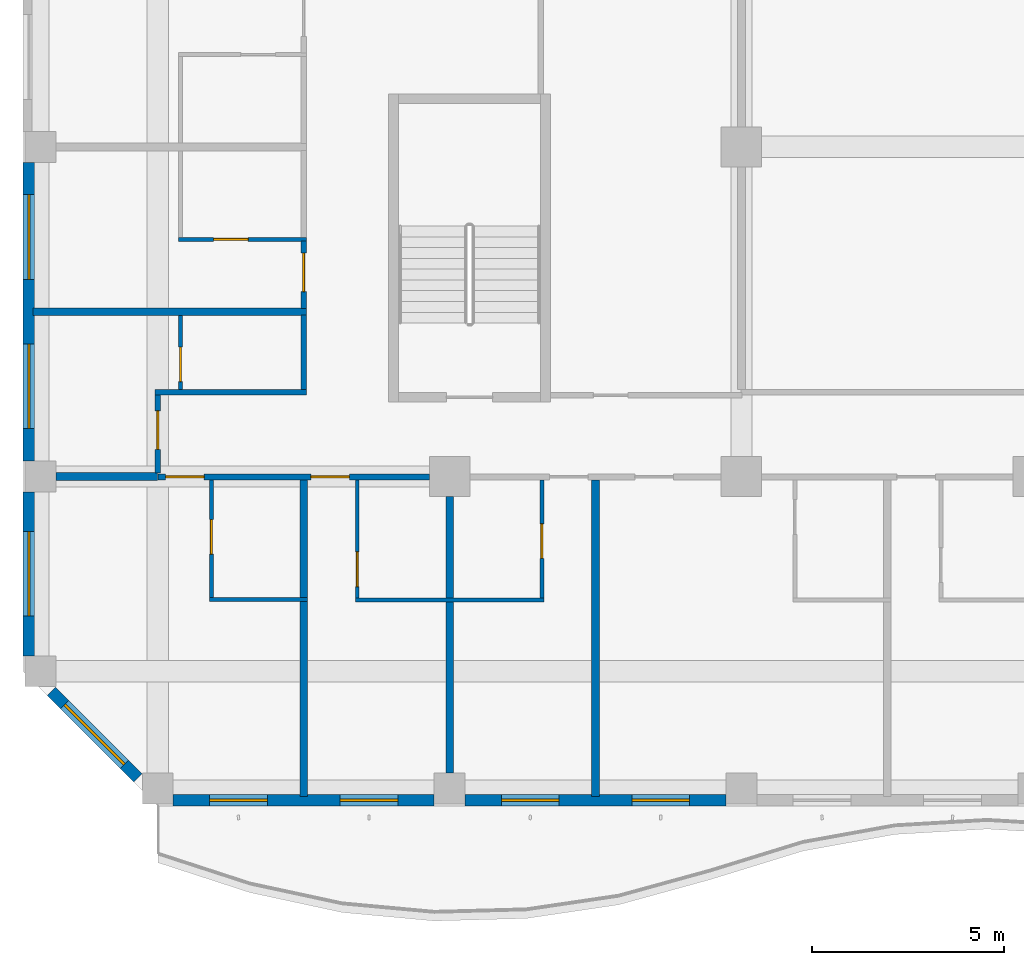
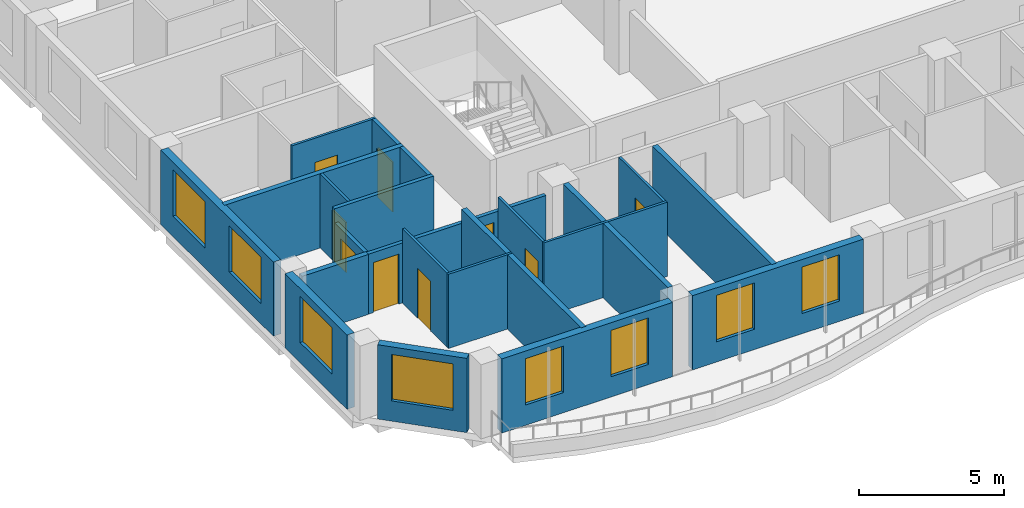
# One storey, part 2 of 22: 24 walls, 9 doors, 8 windows, 17 openings.
"""IFC4 building model written with IfcOpenShell, lengths in metres."""

import ifcopenshell
import ifcopenshell.guid

model = None  # the IFC model being written
_history = None  # IfcOwnerHistory: only IFC2X3 demands one
_inside = {}  # id of a spatial element -> (the spatial element, [elements in it])
_under = {}  # id of a project, library or spatial element -> (it, [spatial elements below it])
_declared = {}  # id of a project -> (the project, [libraries it declares])
_typed = {}  # id of a type object -> (the type object, [elements of that type])
_made_of = {}  # id of a material, layer set ... -> (it, [elements and type objects made of it])


def new_model(schema):
    """Start an empty IFC model of exactly this schema.

    Asked for "IFC4X3", IfcOpenShell would pick the latest addendum, in which some entities
    have other attributes; the version numbers below select the first issue.
    IFC2X3 requires an IfcOwnerHistory on every rooted entity: one is made here for all.
    """
    global model, _history
    if schema == "IFC4X3":
        model = ifcopenshell.file(schema_version=(4, 3, 0, 0))
    else:
        model = ifcopenshell.file(schema=schema)
    _inside.clear()
    _under.clear()
    _declared.clear()
    _typed.clear()
    _made_of.clear()
    _history = None
    if model.schema == "IFC2X3":
        org = make("IfcOrganization", Name="unknown")
        user = make(
            "IfcPersonAndOrganization",
            ThePerson=make("IfcPerson", FamilyName="unknown"),
            TheOrganization=org,
        )
        app = make(
            "IfcApplication",
            ApplicationDeveloper=org,
            Version="unknown",
            ApplicationFullName="unknown",
            ApplicationIdentifier="unknown",
        )
        _history = make(
            "IfcOwnerHistory",
            OwningUser=user,
            OwningApplication=app,
            ChangeAction="ADDED",
            CreationDate=0,
        )
    return model


def make(cls, **values):
    """One entity of the class cls with the attributes given. An attribute that is None is left unset."""
    return model.create_entity(
        cls, **{name: value for name, value in values.items() if value is not None}
    )


def rooted(cls, **values):
    """An entity with a GlobalId (a new one), such as an element, a storey or a relation."""
    return make(cls, GlobalId=ifcopenshell.guid.new(), OwnerHistory=_history, **values)


def si_unit(unit_type, name, prefix=None):
    """IfcSIUnit, for example si_unit("LENGTHUNIT", "METRE", prefix="MILLI")."""
    return make("IfcSIUnit", UnitType=unit_type, Prefix=prefix, Name=name)


def assignment(units):
    """IfcUnitAssignment: the units of a project."""
    return None if units is None else make("IfcUnitAssignment", Units=units)


def point(xyz):
    """IfcCartesianPoint."""
    return None if xyz is None else make("IfcCartesianPoint", Coordinates=xyz)


def direction(xyz):
    """IfcDirection."""
    return None if xyz is None else make("IfcDirection", DirectionRatios=xyz)


def frame(location, z_axis=None, x_axis=None):
    """IfcAxis2Placement3D, a coordinate frame: its origin and axes. An axis left out is left unset."""
    return make(
        "IfcAxis2Placement3D",
        Location=point(location),
        Axis=direction(z_axis),
        RefDirection=direction(x_axis),
    )


def frame_2d(location, x_axis=None):
    """IfcAxis2Placement2D, a coordinate frame in the plane: its origin and x axis."""
    return make(
        "IfcAxis2Placement2D", Location=point(location), RefDirection=direction(x_axis)
    )


def origin():
    """The frame at (0, 0, 0) with its axes left unset."""
    return frame((0.0, 0.0, 0.0))


def place(relative_to, where):
    """IfcLocalPlacement: puts the frame where relative to a parent placement (None: the world)."""
    return make(
        "IfcLocalPlacement", PlacementRelTo=relative_to, RelativePlacement=where
    )


def context(
    kind, dimensions, precision=None, world=None, true_north=None, identifier=None
):
    """IfcGeometricRepresentationContext, for example the 3D "Model" context."""
    return make(
        "IfcGeometricRepresentationContext",
        ContextIdentifier=identifier,
        ContextType=kind,
        CoordinateSpaceDimension=dimensions,
        Precision=precision,
        WorldCoordinateSystem=world,
        TrueNorth=true_north,
    )


def subcontext(parent, identifier, kind, view, scale=None):
    """IfcGeometricRepresentationSubContext, for example "Body" below "Model"."""
    return make(
        "IfcGeometricRepresentationSubContext",
        ContextIdentifier=identifier,
        ContextType=kind,
        ParentContext=parent,
        TargetScale=scale,
        TargetView=view,
    )


def project(units=None, contexts=None):
    """IfcProject with its units and contexts."""
    return rooted(
        "IfcProject",
        Name="project",
        RepresentationContexts=contexts,
        UnitsInContext=assignment(units),
    )


def spatial(cls, under=None, at=None, **own):
    """A site, building, storey or space (cls), placed at a placement, below another one or the project."""
    s = rooted(cls, ObjectPlacement=at, **own)
    if under is not None:
        _under.setdefault(under.id(), (under, []))[1].append(s)
    return s


def profile(cls, at=None, kind="AREA", **sizes):
    """A parametric profile (cls). Its sizes go by their IFC names, for example OverallWidth=200.0."""
    return make(cls, ProfileType=kind, Position=at, **sizes)


def rectangle(**sizes):
    """IfcRectangleProfileDef."""
    return profile("IfcRectangleProfileDef", **sizes)


def extrude(swept, where, along, depth):
    """IfcExtrudedAreaSolid: the profile swept, set in the frame where, extruded along a direction by depth."""
    return make(
        "IfcExtrudedAreaSolid",
        SweptArea=swept,
        Position=where,
        ExtrudedDirection=direction(along),
        Depth=depth,
    )


def shape(context_of_items, identifier, shape_type, items):
    """IfcShapeRepresentation: the items that make up one representation, for example the "Body"."""
    return make(
        "IfcShapeRepresentation",
        ContextOfItems=context_of_items,
        RepresentationIdentifier=identifier,
        RepresentationType=shape_type,
        Items=items,
    )


def source(mapping_origin, context_of_items, identifier, shape_type, items):
    """IfcRepresentationMap: a shape defined once, which mapped items show again and again."""
    return make(
        "IfcRepresentationMap",
        MappingOrigin=mapping_origin,
        MappedRepresentation=shape(context_of_items, identifier, shape_type, items),
    )


def transform(
    local_origin,
    x_axis=None,
    y_axis=None,
    z_axis=None,
    scale=None,
    scale2=None,
    scale3=None,
    uniform=True,
):
    """IfcCartesianTransformationOperator3D, or its non-uniform kind. x_axis, y_axis, z_axis: its Axis1, 2, 3."""
    if uniform:
        return make(
            "IfcCartesianTransformationOperator3D",
            Axis1=direction(x_axis),
            Axis2=direction(y_axis),
            LocalOrigin=point(local_origin),
            Scale=scale,
            Axis3=direction(z_axis),
        )
    return make(
        "IfcCartesianTransformationOperator3DnonUniform",
        Axis1=direction(x_axis),
        Axis2=direction(y_axis),
        LocalOrigin=point(local_origin),
        Scale=scale,
        Axis3=direction(z_axis),
        Scale2=scale2,
        Scale3=scale3,
    )


def mapped(mapping_source, mapping_target):
    """IfcMappedItem: shows the shape of a source again, moved by a transform."""
    return make(
        "IfcMappedItem", MappingSource=mapping_source, MappingTarget=mapping_target
    )


def material(Name=None, Category=None):
    """IfcMaterial."""
    return make("IfcMaterial", Name=Name, Category=Category)


def layer(
    of_material, thickness, ventilated=None, Name=None, Category=None, Priority=None
):
    """IfcMaterialLayer: one layer of a wall or slab, of a material (None: an air gap)."""
    return make(
        "IfcMaterialLayer",
        Material=of_material,
        LayerThickness=thickness,
        IsVentilated=ventilated,
        Name=Name,
        Category=Category,
        Priority=Priority,
    )


def layer_set(layers, Name=None):
    """IfcMaterialLayerSet."""
    return make("IfcMaterialLayerSet", MaterialLayers=layers, LayerSetName=Name)


def made_of(thing, what):
    """Note that an element or type object is made of a material, layer set ...; save() writes the relation."""
    if what is not None:
        _made_of.setdefault(what.id(), (what, []))[1].append(thing)
    return thing


def type_object(cls, material=None, **own):
    """A type object (cls), such as IfcWallType, which elements share."""
    return made_of(rooted(cls, **own), material)


def element(
    cls,
    number,
    at=None,
    inside=None,
    cuts=None,
    type_object=None,
    material=None,
    context=None,
    identifier="Body",
    shape_type=None,
    held_by="IfcProductDefinitionShape",
    body=None,
    shapes=None,
    **own,
):
    """One element of the class cls, such as IfcWall. Its Tag is "e" and its number.

    at: its placement. inside: the storey or other place that contains it. cuts: it is an
    opening in that element (IfcRelVoidsElement). A single representation is given by context,
    identifier, shape_type and body (its items); several are given by shapes. held_by: the class
    of the entity that holds the representations. save() writes the other relations.
    """
    e = rooted(cls, Tag="e%d" % number, ObjectPlacement=at, **own)
    if body is not None:
        shapes = [shape(context, identifier, shape_type, body)]
    if shapes is not None:
        e.Representation = make(held_by, Representations=shapes)
    if inside is not None:
        _inside.setdefault(inside.id(), (inside, []))[1].append(e)
    if cuts is not None:
        rooted(
            "IfcRelVoidsElement", RelatingBuildingElement=cuts, RelatedOpeningElement=e
        )
    if type_object is not None:
        _typed.setdefault(type_object.id(), (type_object, []))[1].append(e)
    return made_of(e, material)


def fill(opening, filler):
    """IfcRelFillsElement: the door or window that sits in an opening."""
    return rooted(
        "IfcRelFillsElement",
        RelatingOpeningElement=opening,
        RelatedBuildingElement=filler,
    )


def aggregate(whole, parts):
    """IfcRelAggregates: a whole, such as a stair, and the parts it consists of."""
    return rooted("IfcRelAggregates", RelatingObject=whole, RelatedObjects=parts)


def save(model, path):
    """Write the relations noted so far, then the file.

    IfcRelAggregates (storeys below a building ...), IfcRelContainedInSpatialStructure (elements
    in a storey), IfcRelDefinesByType, IfcRelAssociatesMaterial and IfcRelDeclares: one each for
    every whole, place, type object, material and project.
    """
    for whole, parts in _under.values():
        aggregate(whole, parts)
    for where, things in _inside.values():
        rooted(
            "IfcRelContainedInSpatialStructure",
            RelatedElements=things,
            RelatingStructure=where,
        )
    for kind, things in _typed.values():
        rooted("IfcRelDefinesByType", RelatedObjects=things, RelatingType=kind)
    for what, things in _made_of.values():
        rooted("IfcRelAssociatesMaterial", RelatedObjects=things, RelatingMaterial=what)
    for by, libraries in _declared.values():
        rooted("IfcRelDeclares", RelatingContext=by, RelatedDefinitions=libraries)
    model.write(path)


model = new_model("IFC4")

# Units and contexts
model_context = context("Model", 3, precision=1e-05, world=origin(), true_north=direction((0.0, 1.0)))
body_context = subcontext(model_context, "Body", "Model", "MODEL_VIEW")
ifc_project = project(units=[si_unit("LENGTHUNIT", "METRE"), si_unit("AREAUNIT", "SQUARE_METRE"), si_unit("VOLUMEUNIT", "CUBIC_METRE"), si_unit("PLANEANGLEUNIT", "RADIAN"), si_unit("MASSUNIT", "GRAM", prefix="KILO")], contexts=[model_context])

# Site, building, storey
site_placement = place(None, origin())
site = spatial("IfcSite", under=ifc_project, at=site_placement, CompositionType="ELEMENT")
building_placement = place(site_placement, origin())
building = spatial("IfcBuilding", under=site, at=building_placement, Name="Kilnfold Tower and Market Hall", CompositionType="ELEMENT")
storey_placement = place(building_placement, frame((0.0, 0.0, 188.89990234375)))
storey = spatial("IfcBuildingStorey", under=building, at=storey_placement, Name="L45", CompositionType="ELEMENT", Elevation=188.89990234375)

# Wall, openings, doors
ifc_material_1 = material(Name="Gypsum board on steel studs", Category="steel")
ifc_layer_1 = layer(ifc_material_1, 0.14990234375)
ifc_layer_set_1 = layer_set([ifc_layer_1], Name="Gypsum board on steel studs")
wall_type_1 = type_object("IfcWallType", Name="WALL CORRIDOR 150", PredefinedType="PARTITIONING", material=ifc_layer_set_1)
wall_1_placement = place(storey_placement, frame((-23.75, -17.699951171875, 0.0), z_axis=(0.0, 0.0, 1.0), x_axis=(1.0, 0.0, 0.0)))
wall_1 = element("IfcWall", 1, at=wall_1_placement, inside=storey, type_object=wall_type_1, Name="Partition LY28.1", PredefinedType="PARTITIONING", context=body_context, shape_type="SweptSolid", body=[
    extrude(rectangle(XDim=7.05810546875, YDim=0.14990234375, at=frame_2d((3.529052734375, 0.0))), origin(), (0.0, 0.0, 1.0), 2.52001953125),
])
opening_1_placement = place(wall_1_placement, frame((0.200927734375, 0.0, 0.0)))
opening_1 = element("IfcOpeningElement", 2, at=opening_1_placement, cuts=wall_1, Name="Opening D1", PredefinedType="OPENING", context=body_context, shape_type="SweptSolid", body=[
    extrude(rectangle(XDim=1.0, YDim=2.10009765625, at=frame_2d((0.5, 1.050048828125))), frame((0.0, 0.0849609375, 0.0), z_axis=(0.0, -1.0, 0.0), x_axis=(1.0, 0.0, 0.0)), (0.0, 0.0, 1.0), 0.169921875),
])
opening_2_placement = place(wall_1_placement, frame((3.98095703125, 0.0, 0.0)))
opening_2 = element("IfcOpeningElement", 3, at=opening_2_placement, cuts=wall_1, Name="Opening D1", PredefinedType="OPENING", context=body_context, shape_type="SweptSolid", body=[
    extrude(rectangle(XDim=1.0, YDim=2.10009765625, at=frame_2d((0.5, 1.050048828125))), frame((0.0, 0.0849609375, 0.0), z_axis=(0.0, -1.0, 0.0), x_axis=(1.0, 0.0, 0.0)), (0.0, 0.0, 1.0), 0.169921875),
])
ifc_material_2 = material(Name="Timber veneer door leaf in steel frame", Category="steel")
door_type_1 = type_object("IfcDoorType", Name="DOOR ENTRY 1000 X2100", OperationType="NOTDEFINED", PredefinedType="DOOR", material=ifc_material_2)
door_1_placement = place(opening_1_placement, origin())
door_1 = element("IfcDoor", 4, at=door_1_placement, inside=storey, type_object=door_type_1, Name="Door D1", OperationType="SINGLE_SWING_RIGHT", OverallHeight=2.10009765625, OverallWidth=1.0, PredefinedType="DOOR", context=body_context, shape_type="SweptSolid", body=[
    extrude(rectangle(XDim=1.0, YDim=2.10009765625, at=frame_2d((0.5, 1.050048828125))), frame((0.0, 0.02490234375, 0.0), z_axis=(0.0, -1.0, 0.0), x_axis=(1.0, 0.0, 0.0)), (0.0, 0.0, 1.0), 0.050048828125),
])
fill(opening_1, door_1)
door_2_placement = place(opening_2_placement, origin())
door_2 = element("IfcDoor", 5, at=door_2_placement, inside=storey, type_object=door_type_1, Name="Door D1", OperationType="SINGLE_SWING_LEFT", OverallHeight=2.10009765625, OverallWidth=1.0, PredefinedType="DOOR", context=body_context, shape_type="SweptSolid", body=[
    extrude(rectangle(XDim=1.0, YDim=2.10009765625, at=frame_2d((0.5, 1.050048828125))), frame((0.0, 0.02490234375, 0.0), z_axis=(0.0, -1.0, 0.0), x_axis=(1.0, 0.0, 0.0)), (0.0, 0.0, 1.0), 0.050048828125),
])
fill(opening_2, door_2)

# Wall, opening, door
wall_2_placement = place(storey_placement, frame((-23.75, -15.574951171875, 0.0), z_axis=(0.0, 0.0, 1.0), x_axis=(0.0, -1.0, 0.0)))
wall_2 = element("IfcWall", 6, at=wall_2_placement, inside=storey, type_object=wall_type_1, Name="Partition LY28.7", PredefinedType="PARTITIONING", context=body_context, shape_type="SweptSolid", body=[
    extrude(rectangle(XDim=2.02294921875, YDim=0.14990234375, at=frame_2d((1.011474609375, 0.0))), origin(), (0.0, 0.0, 1.0), 2.52001953125),
])
opening_3_placement = place(wall_2_placement, frame((0.407958984375, 0.0, 0.0)))
opening_3 = element("IfcOpeningElement", 7, at=opening_3_placement, cuts=wall_2, Name="Opening D1", PredefinedType="OPENING", context=body_context, shape_type="SweptSolid", body=[
    extrude(rectangle(XDim=1.0, YDim=2.10009765625, at=frame_2d((0.5, 1.050048828125))), frame((0.0, 0.0849609375, 0.0), z_axis=(0.0, -1.0, 0.0), x_axis=(1.0, 0.0, 0.0)), (0.0, 0.0, 1.0), 0.169921875),
])
door_3_placement = place(opening_3_placement, origin())
door_3 = element("IfcDoor", 8, at=door_3_placement, inside=storey, type_object=door_type_1, Name="Door D1", OperationType="SINGLE_SWING_LEFT", OverallHeight=2.10009765625, OverallWidth=1.0, PredefinedType="DOOR", context=body_context, shape_type="SweptSolid", body=[
    extrude(rectangle(XDim=1.0, YDim=2.10009765625, at=frame_2d((0.5, 1.050048828125))), frame((0.0, 0.02490234375, 0.0), z_axis=(0.0, -1.0, 0.0), x_axis=(1.0, 0.0, 0.0)), (0.0, 0.0, 1.0), 0.050048828125),
])
fill(opening_3, door_3)

# Walls
wall_3_placement = place(storey_placement, frame((-23.824951171875, -15.5, 0.0), z_axis=(0.0, 0.0, 1.0), x_axis=(1.0, 0.0, 0.0)))
element("IfcWall", 9, at=wall_3_placement, inside=storey, type_object=wall_type_1, Name="Partition LY28.8", PredefinedType="PARTITIONING", context=body_context, shape_type="SweptSolid", body=[
    extrude(rectangle(XDim=3.94091796875, YDim=0.14990234375, at=frame_2d((1.970458984375, 0.0))), origin(), (0.0, 0.0, 1.0), 3.1201171875),
])
wall_4_placement = place(storey_placement, frame((-19.958984375, -15.425048828125, 0.0), z_axis=(0.0, 0.0, 1.0), x_axis=(0.0, 1.0, 0.0)))
element("IfcWall", 10, at=wall_4_placement, inside=storey, type_object=wall_type_1, Name="Partition LY28.9", PredefinedType="PARTITIONING", context=body_context, shape_type="SweptSolid", body=[
    extrude(rectangle(XDim=1.928955078125, YDim=0.14990234375, at=frame_2d((0.96435546875, 0.0))), origin(), (0.0, 0.0, 1.0), 3.1201171875),
])

# Wall, opening, door
wall_5_placement = place(storey_placement, frame((-19.958984375, -13.31591796875, 0.0), z_axis=(0.0, 0.0, 1.0), x_axis=(0.0, 1.0, 0.0)))
wall_5 = element("IfcWall", 11, at=wall_5_placement, inside=storey, type_object=wall_type_1, Name="Partition LY28.10", PredefinedType="PARTITIONING", context=body_context, shape_type="SweptSolid", body=[
    extrude(rectangle(XDim=1.7509765625, YDim=0.14990234375, at=frame_2d((0.87548828125, 0.0))), origin(), (0.0, 0.0, 1.0), 3.1201171875),
])
opening_4_placement = place(wall_5_placement, frame((0.43408203125, 0.0, 0.0)))
opening_4 = element("IfcOpeningElement", 12, at=opening_4_placement, cuts=wall_5, Name="Opening D1", PredefinedType="OPENING", context=body_context, shape_type="SweptSolid", body=[
    extrude(rectangle(XDim=1.0, YDim=2.10009765625, at=frame_2d((0.5, 1.050048828125))), frame((0.0, 0.0849609375, 0.0), z_axis=(0.0, -1.0, 0.0), x_axis=(1.0, 0.0, 0.0)), (0.0, 0.0, 1.0), 0.169921875),
])
door_4_placement = place(opening_4_placement, origin())
door_4 = element("IfcDoor", 13, at=door_4_placement, inside=storey, type_object=door_type_1, Name="Door D1", OperationType="SINGLE_SWING_RIGHT", OverallHeight=2.10009765625, OverallWidth=1.0, PredefinedType="DOOR", context=body_context, shape_type="SweptSolid", body=[
    extrude(rectangle(XDim=1.0, YDim=2.10009765625, at=frame_2d((0.5, 1.050048828125))), frame((0.0, 0.02490234375, 0.0), z_axis=(0.0, -1.0, 0.0), x_axis=(1.0, 0.0, 0.0)), (0.0, 0.0, 1.0), 0.050048828125),
])
fill(opening_4, door_4)

ifc_material_3 = material(Name="Gypsum board on steel studs", Category="steel")
ifc_layer_2 = layer(ifc_material_3, 0.10009765625)
ifc_layer_set_2 = layer_set([ifc_layer_2], Name="Gypsum board on steel studs")
wall_type_2 = type_object("IfcWallType", Name="WALL PARTITION 100", PredefinedType="PARTITIONING", material=ifc_layer_set_2)
wall_6_placement = place(storey_placement, frame((-22.35888671875, -20.837890625, 0.0), z_axis=(0.0, 0.0, 1.0), x_axis=(0.0, 1.0, 0.0)))
wall_6 = element("IfcWall", 14, at=wall_6_placement, inside=storey, type_object=wall_type_2, Name="Partition LY28.50", PredefinedType="PARTITIONING", context=body_context, shape_type="SweptSolid", body=[
    extrude(rectangle(XDim=3.060791015625, YDim=0.10009765625, at=frame_2d((1.5302734375, 0.0))), origin(), (0.0, 0.0, 1.0), 3.1201171875),
])
opening_5_placement = place(wall_6_placement, frame((1.132080078125, 0.0, 0.0)))
opening_5 = element("IfcOpeningElement", 15, at=opening_5_placement, cuts=wall_6, Name="Opening D3", PredefinedType="OPENING", context=body_context, shape_type="SweptSolid", body=[
    extrude(rectangle(XDim=0.89990234375, YDim=2.10009765625, at=frame_2d((0.449951171875, 1.050048828125))), frame((0.0, 0.06005859375, 0.0), z_axis=(0.0, -1.0, 0.0), x_axis=(1.0, 0.0, 0.0)), (0.0, 0.0, 1.0), 0.1201171875),
])
ifc_material_4 = material(Name="Timber veneer door leaf in steel frame", Category="steel")
door_type_2 = type_object("IfcDoorType", Name="DOOR WC 900 X2100", OperationType="NOTDEFINED", PredefinedType="DOOR", material=ifc_material_4)
door_5_placement = place(opening_5_placement, origin())
door_5 = element("IfcDoor", 16, at=door_5_placement, inside=storey, type_object=door_type_2, Name="Door D3", OperationType="SINGLE_SWING_RIGHT", OverallHeight=2.10009765625, OverallWidth=0.89990234375, PredefinedType="DOOR", context=body_context, shape_type="SweptSolid", body=[
    extrude(rectangle(XDim=0.89990234375, YDim=2.10009765625, at=frame_2d((0.449951171875, 1.050048828125))), frame((0.0, 0.02490234375, 0.0), z_axis=(0.0, -1.0, 0.0), x_axis=(1.0, 0.0, 0.0)), (0.0, 0.0, 1.0), 0.050048828125),
])
fill(opening_5, door_5)

# Wall
wall_7_placement = place(storey_placement, frame((-22.408935546875, -20.887939453125, 0.0), z_axis=(0.0, 0.0, 1.0), x_axis=(1.0, 0.0, 0.0)))
element("IfcWall", 17, at=wall_7_placement, inside=storey, type_object=wall_type_2, Name="Partition LY28.51", PredefinedType="PARTITIONING", context=body_context, shape_type="SweptSolid", body=[
    extrude(rectangle(XDim=2.550048828125, YDim=0.10009765625, at=frame_2d((1.27490234375, 0.0))), origin(), (0.0, 0.0, 1.0), 3.1201171875),
])

# Wall, opening, door
wall_8_placement = place(storey_placement, frame((-18.56689453125, -20.85205078125, 0.0), z_axis=(0.0, 0.0, 1.0), x_axis=(0.0, 1.0, 0.0)))
wall_8 = element("IfcWall", 18, at=wall_8_placement, inside=storey, type_object=wall_type_2, Name="Partition LY28.55", PredefinedType="PARTITIONING", context=body_context, shape_type="SweptSolid", body=[
    extrude(rectangle(XDim=3.074951171875, YDim=0.10009765625, at=frame_2d((1.53759765625, 0.0))), origin(), (0.0, 0.0, 1.0), 3.1201171875),
])
opening_6_placement = place(wall_8_placement, frame((0.303955078125, 0.0, 0.0)))
opening_6 = element("IfcOpeningElement", 19, at=opening_6_placement, cuts=wall_8, Name="Opening D3", PredefinedType="OPENING", context=body_context, shape_type="SweptSolid", body=[
    extrude(rectangle(XDim=0.89990234375, YDim=2.10009765625, at=frame_2d((0.449951171875, 1.050048828125))), frame((0.0, 0.06005859375, 0.0), z_axis=(0.0, -1.0, 0.0), x_axis=(1.0, 0.0, 0.0)), (0.0, 0.0, 1.0), 0.1201171875),
])
door_6_placement = place(opening_6_placement, origin())
door_6 = element("IfcDoor", 20, at=door_6_placement, inside=storey, type_object=door_type_2, Name="Door D3", OperationType="SINGLE_SWING_RIGHT", OverallHeight=2.10009765625, OverallWidth=0.89990234375, PredefinedType="DOOR", context=body_context, shape_type="SweptSolid", body=[
    extrude(rectangle(XDim=0.89990234375, YDim=2.10009765625, at=frame_2d((0.449951171875, 1.050048828125))), frame((0.0, 0.02490234375, 0.0), z_axis=(0.0, -1.0, 0.0), x_axis=(1.0, 0.0, 0.0)), (0.0, 0.0, 1.0), 0.050048828125),
])
fill(opening_6, door_6)

# Wall
wall_9_placement = place(storey_placement, frame((-18.616943359375, -20.902099609375, 0.0), z_axis=(0.0, 0.0, 1.0), x_axis=(1.0, 0.0, 0.0)))
element("IfcWall", 21, at=wall_9_placement, inside=storey, type_object=wall_type_2, Name="Partition LY28.56", PredefinedType="PARTITIONING", context=body_context, shape_type="SweptSolid", body=[
    extrude(rectangle(XDim=4.89990234375, YDim=0.10009765625, at=frame_2d((2.449951171875, 0.0))), origin(), (0.0, 0.0, 1.0), 3.1201171875),
])

# Wall, opening, door
wall_10_placement = place(storey_placement, frame((-13.76708984375, -17.777099609375, 0.0), z_axis=(0.0, 0.0, 1.0), x_axis=(0.0, -1.0, 0.0)))
wall_10 = element("IfcWall", 22, at=wall_10_placement, inside=storey, type_object=wall_type_2, Name="Partition LY28.59", PredefinedType="PARTITIONING", context=body_context, shape_type="SweptSolid", body=[
    extrude(rectangle(XDim=3.074951171875, YDim=0.10009765625, at=frame_2d((1.53759765625, 0.0))), origin(), (0.0, 0.0, 1.0), 3.1201171875),
])
opening_7_placement = place(wall_10_placement, frame((1.139892578125, 0.0, 0.0)))
opening_7 = element("IfcOpeningElement", 23, at=opening_7_placement, cuts=wall_10, Name="Opening D3", PredefinedType="OPENING", context=body_context, shape_type="SweptSolid", body=[
    extrude(rectangle(XDim=0.89990234375, YDim=2.10009765625, at=frame_2d((0.449951171875, 1.050048828125))), frame((0.0, 0.06005859375, 0.0), z_axis=(0.0, -1.0, 0.0), x_axis=(1.0, 0.0, 0.0)), (0.0, 0.0, 1.0), 0.1201171875),
])
door_7_placement = place(opening_7_placement, origin())
door_7 = element("IfcDoor", 24, at=door_7_placement, inside=storey, type_object=door_type_2, Name="Door D3", OperationType="SINGLE_SWING_RIGHT", OverallHeight=2.10009765625, OverallWidth=0.89990234375, PredefinedType="DOOR", context=body_context, shape_type="SweptSolid", body=[
    extrude(rectangle(XDim=0.89990234375, YDim=2.10009765625, at=frame_2d((0.449951171875, 1.050048828125))), frame((0.0, 0.02490234375, 0.0), z_axis=(0.0, -1.0, 0.0), x_axis=(1.0, 0.0, 0.0)), (0.0, 0.0, 1.0), 0.050048828125),
])
fill(opening_7, door_7)

wall_11_placement = place(storey_placement, frame((-23.160888671875, -15.423095703125, 0.0), z_axis=(0.0, 0.0, 1.0), x_axis=(0.0, 1.0, 0.0)))
wall_11 = element("IfcWall", 25, at=wall_11_placement, inside=storey, type_object=wall_type_2, Name="Partition LY28.87", PredefinedType="PARTITIONING", context=body_context, shape_type="SweptSolid", body=[
    extrude(rectangle(XDim=1.9169921875, YDim=0.10009765625, at=frame_2d((0.95849609375, 0.0))), origin(), (0.0, 0.0, 1.0), 3.1201171875),
])
opening_8_placement = place(wall_11_placement, frame((0.199951171875, 0.0, 0.0)))
opening_8 = element("IfcOpeningElement", 26, at=opening_8_placement, cuts=wall_11, Name="Opening D3", PredefinedType="OPENING", context=body_context, shape_type="SweptSolid", body=[
    extrude(rectangle(XDim=0.89990234375, YDim=2.10009765625, at=frame_2d((0.449951171875, 1.050048828125))), frame((0.0, 0.06005859375, 0.0), z_axis=(0.0, -1.0, 0.0), x_axis=(1.0, 0.0, 0.0)), (0.0, 0.0, 1.0), 0.1201171875),
])
door_8_placement = place(opening_8_placement, origin())
door_8 = element("IfcDoor", 27, at=door_8_placement, inside=storey, type_object=door_type_2, Name="Door D3", OperationType="SINGLE_SWING_LEFT", OverallHeight=2.10009765625, OverallWidth=0.89990234375, PredefinedType="DOOR", context=body_context, shape_type="SweptSolid", body=[
    extrude(rectangle(XDim=0.89990234375, YDim=2.10009765625, at=frame_2d((0.449951171875, 1.050048828125))), frame((0.0, 0.02490234375, 0.0), z_axis=(0.0, -1.0, 0.0), x_axis=(1.0, 0.0, 0.0)), (0.0, 0.0, 1.0), 0.050048828125),
])
fill(opening_8, door_8)

wall_12_placement = place(storey_placement, frame((-19.885986328125, -11.52490234375, 0.0), z_axis=(0.0, 0.0, 1.0), x_axis=(-1.0, 0.0, 0.0)))
wall_12 = element("IfcWall", 28, at=wall_12_placement, inside=storey, type_object=wall_type_2, Name="Partition LY28.89", PredefinedType="PARTITIONING", context=body_context, shape_type="SweptSolid", body=[
    extrude(rectangle(XDim=3.324951171875, YDim=0.10009765625, at=frame_2d((1.66259765625, 0.0))), origin(), (0.0, 0.0, 1.0), 3.1201171875),
])
opening_9_placement = place(wall_12_placement, frame((1.51611328125, 0.0, 0.0)))
opening_9 = element("IfcOpeningElement", 29, at=opening_9_placement, cuts=wall_12, Name="Opening D3", PredefinedType="OPENING", context=body_context, shape_type="SweptSolid", body=[
    extrude(rectangle(XDim=0.89990234375, YDim=2.10009765625, at=frame_2d((0.449951171875, 1.050048828125))), frame((0.0, 0.06005859375, 0.0), z_axis=(0.0, -1.0, 0.0), x_axis=(1.0, 0.0, 0.0)), (0.0, 0.0, 1.0), 0.1201171875),
])
door_9_placement = place(opening_9_placement, origin())
door_9 = element("IfcDoor", 30, at=door_9_placement, inside=storey, type_object=door_type_2, Name="Door D3", OperationType="SINGLE_SWING_RIGHT", OverallHeight=2.10009765625, OverallWidth=0.89990234375, PredefinedType="DOOR", context=body_context, shape_type="SweptSolid", body=[
    extrude(rectangle(XDim=0.89990234375, YDim=2.10009765625, at=frame_2d((0.449951171875, 1.050048828125))), frame((0.0, 0.02490234375, 0.0), z_axis=(0.0, -1.0, 0.0), x_axis=(1.0, 0.0, 0.0)), (0.0, 0.0, 1.0), 0.050048828125),
])
fill(opening_9, door_9)

# Walls
ifc_material_5 = material(Name="Gypsum board on steel studs", Category="steel")
ifc_layer_3 = layer(ifc_material_5, 0.199951171875)
ifc_layer_set_3 = layer_set([ifc_layer_3], Name="Gypsum board on steel studs")
wall_type_3 = type_object("IfcWallType", Name="WALL PARTY 200", PredefinedType="PARTITIONING", material=ifc_layer_set_3)
wall_13_placement = place(storey_placement, frame((-19.958984375, -26.0, 0.0), z_axis=(0.0, 0.0, 1.0), x_axis=(0.0, 1.0, 0.0)))
element("IfcWall", 31, at=wall_13_placement, inside=storey, type_object=wall_type_3, Name="Partition LY28.52", PredefinedType="PARTITIONING", context=body_context, shape_type="SweptSolid", body=[
    extrude(rectangle(XDim=5.06201171875, YDim=0.199951171875, at=frame_2d((2.531005859375, 0.0))), origin(), (0.0, 0.0, 1.0), 3.1201171875),
])
wall_14_placement = place(storey_placement, frame((-26.39990234375, -17.68798828125, 0.0), z_axis=(0.0, 0.0, 1.0), x_axis=(1.0, 0.0, 0.0)))
element("IfcWall", 32, at=wall_14_placement, inside=storey, type_object=wall_type_3, Name="Partition LY28.53", PredefinedType="PARTITIONING", context=body_context, shape_type="SweptSolid", body=[
    extrude(rectangle(XDim=2.64794921875, YDim=0.199951171875, at=frame_2d((1.323974609375, 0.0))), origin(), (0.0, 0.0, 1.0), 2.52001953125),
])
wall_15_placement = place(storey_placement, frame((-19.958984375, -20.837890625, 0.0), z_axis=(0.0, 0.0, 1.0), x_axis=(0.0, 1.0, 0.0)))
element("IfcWall", 33, at=wall_15_placement, inside=storey, type_object=wall_type_3, Name="Partition LY28.54", PredefinedType="PARTITIONING", context=body_context, shape_type="SweptSolid", body=[
    extrude(rectangle(XDim=3.060791015625, YDim=0.199951171875, at=frame_2d((1.5302734375, 0.0))), origin(), (0.0, 0.0, 1.0), 3.1201171875),
])
wall_16_placement = place(storey_placement, frame((-16.1669921875, -25.39990234375, 0.0), z_axis=(0.0, 0.0, 1.0), x_axis=(0.0, 1.0, 0.0)))
element("IfcWall", 34, at=wall_16_placement, inside=storey, type_object=wall_type_3, Name="Partition LY28.57", PredefinedType="PARTITIONING", context=body_context, shape_type="SweptSolid", body=[
    extrude(rectangle(XDim=4.447998046875, YDim=0.199951171875, at=frame_2d((2.22412109375, 0.0))), origin(), (0.0, 0.0, 1.0), 3.1201171875),
])
wall_17_placement = place(storey_placement, frame((-16.1669921875, -20.85205078125, 0.0), z_axis=(0.0, 0.0, 1.0), x_axis=(0.0, 1.0, 0.0)))
element("IfcWall", 35, at=wall_17_placement, inside=storey, type_object=wall_type_3, Name="Partition LY28.58", PredefinedType="PARTITIONING", context=body_context, shape_type="SweptSolid", body=[
    extrude(rectangle(XDim=2.64013671875, YDim=0.199951171875, at=frame_2d((1.320068359375, 0.0))), origin(), (0.0, 0.0, 1.0), 3.1201171875),
])
wall_18_placement = place(storey_placement, frame((-12.375, -26.0, 0.0), z_axis=(0.0, 0.0, 1.0), x_axis=(0.0, 1.0, 0.0)))
element("IfcWall", 36, at=wall_18_placement, inside=storey, type_object=wall_type_3, Name="Partition LY28.60", PredefinedType="PARTITIONING", context=body_context, shape_type="SweptSolid", body=[
    extrude(rectangle(XDim=8.222900390625, YDim=0.199951171875, at=frame_2d((4.111328125, 0.0))), origin(), (0.0, 0.0, 1.0), 3.1201171875),
])
wall_19_placement = place(storey_placement, frame((-27.0, -13.406005859375, 0.0), z_axis=(0.0, 0.0, 1.0), x_axis=(1.0, 0.0, 0.0)))
element("IfcWall", 37, at=wall_19_placement, inside=storey, type_object=wall_type_3, Name="Partition LY28.88", PredefinedType="PARTITIONING", context=body_context, shape_type="SweptSolid", body=[
    extrude(rectangle(XDim=7.114013671875, YDim=0.199951171875, at=frame_2d((3.55712890625, 0.0))), origin(), (0.0, 0.0, 1.0), 3.1201171875),
])

# Wall, openings, windows
ifc_material_6 = material(Name="Precast concrete C50/60", Category="concrete")
ifc_layer_4 = layer(ifc_material_6, 0.300048828125)
ifc_layer_set_4 = layer_set([ifc_layer_4], Name="Precast concrete C50/60")
wall_type_4 = type_object("IfcWallType", Name="PRECAST WALL 300", PredefinedType="SOLIDWALL", material=ifc_layer_set_4)
shared_shape_1 = source(origin(), body_context, "Body", "SweptSolid", [
    extrude(rectangle(XDim=6.783447265625, YDim=0.300048828125, at=frame_2d((3.3916015625, 0.0))), origin(), (0.0, 0.0, 1.0), 3.1201171875),
])
wall_20_placement = place(storey_placement, frame((-23.35009765625, -26.10009765625, 0.0), z_axis=(0.0, 0.0, 1.0), x_axis=(1.0, 0.0, 0.0)))
wall_20 = element("IfcWall", 38, at=wall_20_placement, inside=storey, type_object=wall_type_4, Name="External wall L45 S", PredefinedType="SOLIDWALL", context=body_context, shape_type="MappedRepresentation", body=[
    mapped(shared_shape_1, transform((0.0, 0.0, 0.0))),
])
opening_10_placement = place(wall_20_placement, frame((0.94580078125, 0.0, 0.85009765625)))
opening_10 = element("IfcOpeningElement", 39, at=opening_10_placement, cuts=wall_20, Name="Opening W4", PredefinedType="OPENING", context=body_context, shape_type="SweptSolid", body=[
    extrude(rectangle(XDim=1.5, YDim=1.949951171875, at=frame_2d((0.75, 0.97509765625))), frame((0.0, 0.16015625, 0.0), z_axis=(0.0, -1.0, 0.0), x_axis=(1.0, 0.0, 0.0)), (0.0, 0.0, 1.0), 0.320068359375),
])
opening_11_placement = place(wall_20_placement, frame((4.33740234375, 0.0, 0.85009765625)))
opening_11 = element("IfcOpeningElement", 40, at=opening_11_placement, cuts=wall_20, Name="Opening W4", PredefinedType="OPENING", context=body_context, shape_type="SweptSolid", body=[
    extrude(rectangle(XDim=1.5, YDim=1.949951171875, at=frame_2d((0.75, 0.97509765625))), frame((0.0, 0.16015625, 0.0), z_axis=(0.0, -1.0, 0.0), x_axis=(1.0, 0.0, 0.0)), (0.0, 0.0, 1.0), 0.320068359375),
])
ifc_material_7 = material(Name="Aluminium frame and double glazing", Category="aluminium")
window_type_1 = type_object("IfcWindowType", Name="WINDOW W4 1500X1950", PartitioningType="SINGLE_PANEL", PredefinedType="WINDOW", material=ifc_material_7)
window_1_placement = place(opening_10_placement, origin())
window_1 = element("IfcWindow", 41, at=window_1_placement, inside=storey, type_object=window_type_1, Name="Window W4 L45 S-1", OverallHeight=1.949951171875, OverallWidth=1.5, PartitioningType="SINGLE_PANEL", PredefinedType="WINDOW", context=body_context, shape_type="SweptSolid", body=[
    extrude(rectangle(XDim=1.5, YDim=1.949951171875, at=frame_2d((0.75, 0.97509765625))), frame((0.0, 0.030029296875, 0.0), z_axis=(0.0, -1.0, 0.0), x_axis=(1.0, 0.0, 0.0)), (0.0, 0.0, 1.0), 0.06005859375),
])
fill(opening_10, window_1)
window_2_placement = place(opening_11_placement, origin())
window_2 = element("IfcWindow", 42, at=window_2_placement, inside=storey, type_object=window_type_1, Name="Window W4 L45 S-2", OverallHeight=1.949951171875, OverallWidth=1.5, PartitioningType="SINGLE_PANEL", PredefinedType="WINDOW", context=body_context, shape_type="SweptSolid", body=[
    extrude(rectangle(XDim=1.5, YDim=1.949951171875, at=frame_2d((0.75, 0.97509765625))), frame((0.0, 0.030029296875, 0.0), z_axis=(0.0, -1.0, 0.0), x_axis=(1.0, 0.0, 0.0)), (0.0, 0.0, 1.0), 0.06005859375),
])
fill(opening_11, window_2)

shared_shape_2 = source(origin(), body_context, "Body", "SweptSolid", [
    extrude(rectangle(XDim=6.783203125, YDim=0.300048828125, at=frame_2d((3.3916015625, 0.0))), origin(), (0.0, 0.0, 1.0), 3.1201171875),
])
wall_21_placement = place(storey_placement, frame((-15.7666015625, -26.10009765625, 0.0), z_axis=(0.0, 0.0, 1.0), x_axis=(1.0, 0.0, 0.0)))
wall_21 = element("IfcWall", 43, at=wall_21_placement, inside=storey, type_object=wall_type_4, Name="External wall L45 S", PredefinedType="SOLIDWALL", context=body_context, shape_type="MappedRepresentation", body=[
    mapped(shared_shape_2, transform((0.0, 0.0, 0.0))),
])
opening_12_placement = place(wall_21_placement, frame((0.94580078125, 0.0, 0.85009765625)))
opening_12 = element("IfcOpeningElement", 44, at=opening_12_placement, cuts=wall_21, Name="Opening W4", PredefinedType="OPENING", context=body_context, shape_type="SweptSolid", body=[
    extrude(rectangle(XDim=1.5, YDim=1.949951171875, at=frame_2d((0.75, 0.97509765625))), frame((0.0, 0.16015625, 0.0), z_axis=(0.0, -1.0, 0.0), x_axis=(1.0, 0.0, 0.0)), (0.0, 0.0, 1.0), 0.320068359375),
])
opening_13_placement = place(wall_21_placement, frame((4.337646484375, 0.0, 0.85009765625)))
opening_13 = element("IfcOpeningElement", 45, at=opening_13_placement, cuts=wall_21, Name="Opening W4", PredefinedType="OPENING", context=body_context, shape_type="SweptSolid", body=[
    extrude(rectangle(XDim=1.5, YDim=1.949951171875, at=frame_2d((0.75, 0.97509765625))), frame((0.0, 0.16015625, 0.0), z_axis=(0.0, -1.0, 0.0), x_axis=(1.0, 0.0, 0.0)), (0.0, 0.0, 1.0), 0.320068359375),
])
window_3_placement = place(opening_12_placement, origin())
window_3 = element("IfcWindow", 46, at=window_3_placement, inside=storey, type_object=window_type_1, Name="Window W4 L45 S-1", OverallHeight=1.949951171875, OverallWidth=1.5, PartitioningType="SINGLE_PANEL", PredefinedType="WINDOW", context=body_context, shape_type="SweptSolid", body=[
    extrude(rectangle(XDim=1.5, YDim=1.949951171875, at=frame_2d((0.75, 0.97509765625))), frame((0.0, 0.030029296875, 0.0), z_axis=(0.0, -1.0, 0.0), x_axis=(1.0, 0.0, 0.0)), (0.0, 0.0, 1.0), 0.06005859375),
])
fill(opening_12, window_3)
window_4_placement = place(opening_13_placement, origin())
window_4 = element("IfcWindow", 47, at=window_4_placement, inside=storey, type_object=window_type_1, Name="Window W4 L45 S-2", OverallHeight=1.949951171875, OverallWidth=1.5, PartitioningType="SINGLE_PANEL", PredefinedType="WINDOW", context=body_context, shape_type="SweptSolid", body=[
    extrude(rectangle(XDim=1.5, YDim=1.949951171875, at=frame_2d((0.75, 0.97509765625))), frame((0.0, 0.030029296875, 0.0), z_axis=(0.0, -1.0, 0.0), x_axis=(1.0, 0.0, 0.0)), (0.0, 0.0, 1.0), 0.06005859375),
])
fill(opening_13, window_4)

# Wall, opening, window
shared_shape_3 = source(origin(), body_context, "Body", "SweptSolid", [
    extrude(rectangle(XDim=3.18212890625, YDim=0.300048828125, at=frame_2d((1.591064453125, 0.0))), origin(), (0.0, 0.0, 1.0), 3.1201171875),
])
wall_22_placement = place(storey_placement, frame((-26.518798828125, -23.268798828125, 0.0), z_axis=(0.0, 0.0, 1.0), x_axis=(0.707068419229, -0.707145141063, 0.0)))
wall_22 = element("IfcWall", 48, at=wall_22_placement, inside=storey, type_object=wall_type_4, Name="External wall L45 SW", PredefinedType="SOLIDWALL", context=body_context, shape_type="MappedRepresentation", body=[
    mapped(shared_shape_3, transform((0.0, 0.0, 0.0))),
])
opening_14_placement = place(wall_22_placement, frame((0.490966796875, 0.0, 0.85009765625)))
opening_14 = element("IfcOpeningElement", 49, at=opening_14_placement, cuts=wall_22, Name="Opening W2", PredefinedType="OPENING", context=body_context, shape_type="SweptSolid", body=[
    extrude(rectangle(XDim=2.199951171875, YDim=1.949951171875, at=frame_2d((1.10009765625, 0.97509765625))), frame((0.0, 0.16015625, 0.0), z_axis=(0.0, -1.0, 0.0), x_axis=(1.0, 0.0, 0.0)), (0.0, 0.0, 1.0), 0.320068359375),
])
ifc_material_8 = material(Name="Aluminium frame and double glazing", Category="aluminium")
window_type_2 = type_object("IfcWindowType", Name="WINDOW W2 2200X1950", PartitioningType="SINGLE_PANEL", PredefinedType="WINDOW", material=ifc_material_8)
window_5_placement = place(opening_14_placement, origin())
window_5 = element("IfcWindow", 50, at=window_5_placement, inside=storey, type_object=window_type_2, Name="Window W2 L45 SW-1", OverallHeight=1.949951171875, OverallWidth=2.199951171875, PartitioningType="SINGLE_PANEL", PredefinedType="WINDOW", context=body_context, shape_type="SweptSolid", body=[
    extrude(rectangle(XDim=2.199951171875, YDim=1.949951171875, at=frame_2d((1.10009765625, 0.97509765625))), frame((0.0, 0.030029296875, 0.0), z_axis=(0.0, -1.0, 0.0), x_axis=(1.0, 0.0, 0.0)), (0.0, 0.0, 1.0), 0.06005859375),
])
fill(opening_14, window_5)

# Wall, openings, windows
shared_shape_4 = source(origin(), body_context, "Body", "SweptSolid", [
    extrude(rectangle(XDim=7.7626953125, YDim=0.300048828125, at=frame_2d((3.88134765625, 0.0))), origin(), (0.0, 0.0, 1.0), 3.1201171875),
])
wall_23_placement = place(storey_placement, frame((-27.10009765625, -9.52490234375, 0.0), z_axis=(0.0, 0.0, 1.0), x_axis=(0.0, -1.0, 0.0)))
wall_23 = element("IfcWall", 51, at=wall_23_placement, inside=storey, type_object=wall_type_4, Name="External wall L45 W", PredefinedType="SOLIDWALL", context=body_context, shape_type="MappedRepresentation", body=[
    mapped(shared_shape_4, transform((0.0, 0.0, 0.0))),
])
opening_15_placement = place(wall_23_placement, frame((0.840576171875, 0.0, 0.85009765625)))
opening_15 = element("IfcOpeningElement", 52, at=opening_15_placement, cuts=wall_23, Name="Opening W2", PredefinedType="OPENING", context=body_context, shape_type="SweptSolid", body=[
    extrude(rectangle(XDim=2.199951171875, YDim=1.949951171875, at=frame_2d((1.10009765625, 0.97509765625))), frame((0.0, 0.16015625, 0.0), z_axis=(0.0, -1.0, 0.0), x_axis=(1.0, 0.0, 0.0)), (0.0, 0.0, 1.0), 0.320068359375),
])
opening_16_placement = place(wall_23_placement, frame((4.721923828125, 0.0, 0.85009765625)))
opening_16 = element("IfcOpeningElement", 53, at=opening_16_placement, cuts=wall_23, Name="Opening W2", PredefinedType="OPENING", context=body_context, shape_type="SweptSolid", body=[
    extrude(rectangle(XDim=2.199951171875, YDim=1.949951171875, at=frame_2d((1.10009765625, 0.97509765625))), frame((0.0, 0.16015625, 0.0), z_axis=(0.0, -1.0, 0.0), x_axis=(1.0, 0.0, 0.0)), (0.0, 0.0, 1.0), 0.320068359375),
])
window_6_placement = place(opening_15_placement, origin())
window_6 = element("IfcWindow", 54, at=window_6_placement, inside=storey, type_object=window_type_2, Name="Window W2 L45 W-1", OverallHeight=1.949951171875, OverallWidth=2.199951171875, PartitioningType="SINGLE_PANEL", PredefinedType="WINDOW", context=body_context, shape_type="SweptSolid", body=[
    extrude(rectangle(XDim=2.199951171875, YDim=1.949951171875, at=frame_2d((1.10009765625, 0.97509765625))), frame((0.0, 0.030029296875, 0.0), z_axis=(0.0, -1.0, 0.0), x_axis=(1.0, 0.0, 0.0)), (0.0, 0.0, 1.0), 0.06005859375),
])
fill(opening_15, window_6)
window_7_placement = place(opening_16_placement, origin())
window_7 = element("IfcWindow", 55, at=window_7_placement, inside=storey, type_object=window_type_2, Name="Window W2 L45 W-2", OverallHeight=1.949951171875, OverallWidth=2.199951171875, PartitioningType="SINGLE_PANEL", PredefinedType="WINDOW", context=body_context, shape_type="SweptSolid", body=[
    extrude(rectangle(XDim=2.199951171875, YDim=1.949951171875, at=frame_2d((1.10009765625, 0.97509765625))), frame((0.0, 0.030029296875, 0.0), z_axis=(0.0, -1.0, 0.0), x_axis=(1.0, 0.0, 0.0)), (0.0, 0.0, 1.0), 0.06005859375),
])
fill(opening_16, window_7)

# Wall, opening, window
shared_shape_5 = source(origin(), body_context, "Body", "SweptSolid", [
    extrude(rectangle(XDim=4.2626953125, YDim=0.300048828125, at=frame_2d((2.13134765625, 0.0))), origin(), (0.0, 0.0, 1.0), 3.1201171875),
])
wall_24_placement = place(storey_placement, frame((-27.10009765625, -18.08740234375, 0.0), z_axis=(0.0, 0.0, 1.0), x_axis=(0.0, -1.0, 0.0)))
wall_24 = element("IfcWall", 56, at=wall_24_placement, inside=storey, type_object=wall_type_4, Name="External wall L45 W", PredefinedType="SOLIDWALL", context=body_context, shape_type="MappedRepresentation", body=[
    mapped(shared_shape_5, transform((0.0, 0.0, 0.0))),
])
opening_17_placement = place(wall_24_placement, frame((1.03125, 0.0, 0.85009765625)))
opening_17 = element("IfcOpeningElement", 57, at=opening_17_placement, cuts=wall_24, Name="Opening W2", PredefinedType="OPENING", context=body_context, shape_type="SweptSolid", body=[
    extrude(rectangle(XDim=2.199951171875, YDim=1.949951171875, at=frame_2d((1.10009765625, 0.97509765625))), frame((0.0, 0.16015625, 0.0), z_axis=(0.0, -1.0, 0.0), x_axis=(1.0, 0.0, 0.0)), (0.0, 0.0, 1.0), 0.320068359375),
])
window_8_placement = place(opening_17_placement, origin())
window_8 = element("IfcWindow", 58, at=window_8_placement, inside=storey, type_object=window_type_2, Name="Window W2 L45 W-1", OverallHeight=1.949951171875, OverallWidth=2.199951171875, PartitioningType="SINGLE_PANEL", PredefinedType="WINDOW", context=body_context, shape_type="SweptSolid", body=[
    extrude(rectangle(XDim=2.199951171875, YDim=1.949951171875, at=frame_2d((1.10009765625, 0.97509765625))), frame((0.0, 0.030029296875, 0.0), z_axis=(0.0, -1.0, 0.0), x_axis=(1.0, 0.0, 0.0)), (0.0, 0.0, 1.0), 0.06005859375),
])
fill(opening_17, window_8)

save(model, "model.ifc")
